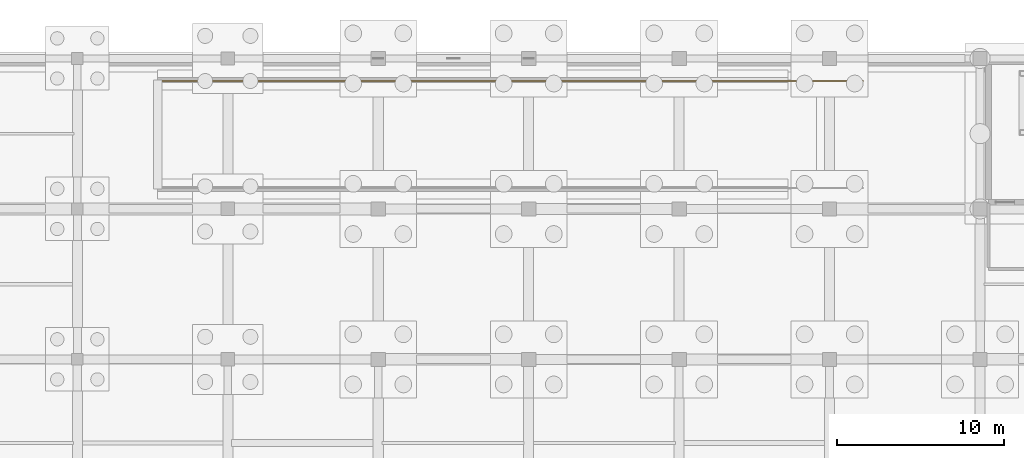
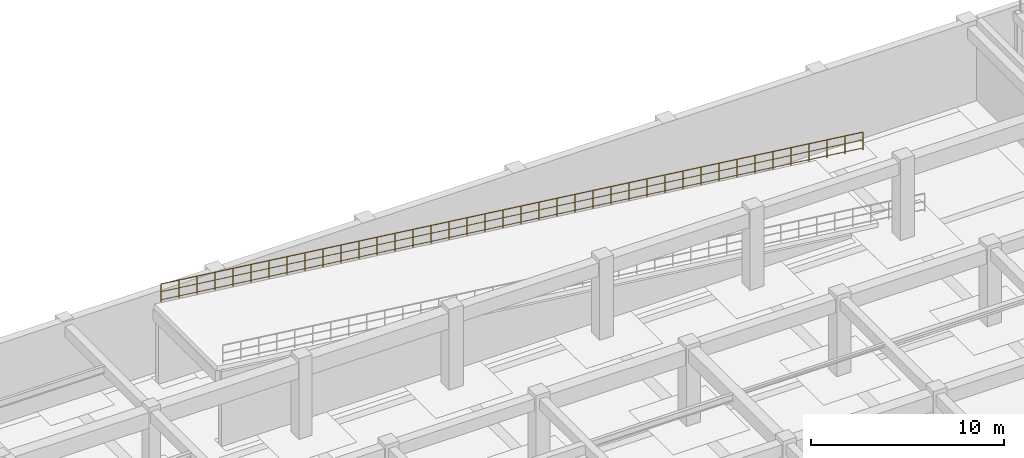
# One storey, part 58 of 62: 1 railing.
"""IFC4 building model written with IfcOpenShell, lengths in metres."""

from ifc_helpers import new_model, si_unit, direction, frame, origin, origin_2d, place, context, subcontext, project, spatial, circle, extrude, material, type_object, element, save


model = new_model("IFC4")

# Units and contexts
model_context = context("Model", 3, precision=1e-05, world=origin(), true_north=direction((0.0, 1.0)))
body_context = subcontext(model_context, "Body", "Model", "MODEL_VIEW")
ifc_project = project(units=[si_unit("LENGTHUNIT", "METRE"), si_unit("AREAUNIT", "SQUARE_METRE"), si_unit("VOLUMEUNIT", "CUBIC_METRE"), si_unit("PLANEANGLEUNIT", "RADIAN"), si_unit("MASSUNIT", "GRAM", prefix="KILO")], contexts=[model_context])

# Site, building, storey
site_placement = place(None, origin())
site = spatial("IfcSite", under=ifc_project, at=site_placement, CompositionType="ELEMENT")
building_placement = place(site_placement, origin())
building = spatial("IfcBuilding", under=site, at=building_placement, Name="Miravela Opera House", CompositionType="ELEMENT")
storey_placement = place(building_placement, frame((0.0, 0.0, -5.10009765625)))
storey = spatial("IfcBuildingStorey", under=building, at=storey_placement, Name="B01", CompositionType="ELEMENT", Elevation=-5.10009765625)

# Railing
ifc_material = material(Name="Galvanised steel fly-gallery safety guardrail", Category="steel")
railing_type = type_object("IfcRailingType", Name="ARC-RAIL-STAGE-GUARD", PredefinedType="GUARDRAIL", material=ifc_material)
railing_placement = place(storey_placement, frame((56.0, 110.64990234375, 0.0)))
element("IfcRailing", 1, at=railing_placement, inside=storey, type_object=railing_type, Name="Vehicle Ramp North Side Guard 0140", PredefinedType="GUARDRAIL", context=body_context, shape_type="SweptSolid", body=[
    extrude(circle(Radius=0.02392578125, at=origin_2d()), frame((0.0, 0.0, 1.1259765625), z_axis=(-0.992707815285, 0.0, 0.120545400049), x_axis=(0.0, -1.0, 0.0)), (0.0, 0.0, 1.0), 42.30859375),
    extrude(circle(Radius=0.01611328125, at=origin_2d()), frame((0.0, 0.0, 0.63232421875), z_axis=(-0.992707815285, 0.0, 0.120545400049), x_axis=(0.0, -1.0, 0.0)), (0.0, 0.0, 1.0), 42.30859375),
    extrude(circle(Radius=0.01611328125, at=origin_2d()), frame((0.0, 0.0, 0.1201171875), z_axis=(-0.992707815285, 0.0, 0.120545400049), x_axis=(0.0, -1.0, 0.0)), (0.0, 0.0, 1.0), 42.30859375),
    extrude(circle(Radius=0.02099609375, at=origin_2d()), origin(), (0.0, 0.0, 1.0), 1.101806640625),
    extrude(circle(Radius=0.02099609375, at=origin_2d()), frame((-1.076904296875, 0.0, 0.130859375)), (0.0, 0.0, 1.0), 1.101806640625),
    extrude(circle(Radius=0.02099609375, at=origin_2d()), frame((-2.15380859375, 0.0, 0.261474609375)), (0.0, 0.0, 1.0), 1.101806640625),
    extrude(circle(Radius=0.02099609375, at=origin_2d()), frame((-3.230712890625, 0.0, 0.392333984375)), (0.0, 0.0, 1.0), 1.101806640625),
    extrude(circle(Radius=0.02099609375, at=origin_2d()), frame((-4.3076171875, 0.0, 0.523193359375)), (0.0, 0.0, 1.0), 1.101806640625),
    extrude(circle(Radius=0.02099609375, at=origin_2d()), frame((-5.384521484375, 0.0, 0.65380859375)), (0.0, 0.0, 1.0), 1.101806640625),
    extrude(circle(Radius=0.02099609375, at=origin_2d()), frame((-6.46142578125, 0.0, 0.78466796875)), (0.0, 0.0, 1.0), 1.101806640625),
    extrude(circle(Radius=0.02099609375, at=origin_2d()), frame((-7.53857421875, 0.0, 0.915283203125)), (0.0, 0.0, 1.0), 1.101806640625),
    extrude(circle(Radius=0.02099609375, at=origin_2d()), frame((-8.615478515625, 0.0, 1.046142578125)), (0.0, 0.0, 1.0), 1.101806640625),
    extrude(circle(Radius=0.02099609375, at=origin_2d()), frame((-9.6923828125, 0.0, 1.177001953125)), (0.0, 0.0, 1.0), 1.101806640625),
    extrude(circle(Radius=0.02099609375, at=origin_2d()), frame((-10.769287109375, 0.0, 1.3076171875)), (0.0, 0.0, 1.0), 1.101806640625),
    extrude(circle(Radius=0.02099609375, at=origin_2d()), frame((-11.84619140625, 0.0, 1.4384765625)), (0.0, 0.0, 1.0), 1.101806640625),
    extrude(circle(Radius=0.02099609375, at=origin_2d()), frame((-12.923095703125, 0.0, 1.5693359375)), (0.0, 0.0, 1.0), 1.101806640625),
    extrude(circle(Radius=0.02099609375, at=origin_2d()), frame((-14.0, 0.0, 1.699951171875)), (0.0, 0.0, 1.0), 1.101806640625),
    extrude(circle(Radius=0.02099609375, at=origin_2d()), frame((-15.076904296875, 0.0, 1.830810546875)), (0.0, 0.0, 1.0), 1.101806640625),
    extrude(circle(Radius=0.02099609375, at=origin_2d()), frame((-16.15380859375, 0.0, 1.961669921875)), (0.0, 0.0, 1.0), 1.101806640625),
    extrude(circle(Radius=0.02099609375, at=origin_2d()), frame((-17.230712890625, 0.0, 2.09228515625)), (0.0, 0.0, 1.0), 1.101806640625),
    extrude(circle(Radius=0.02099609375, at=origin_2d()), frame((-18.3076171875, 0.0, 2.22314453125)), (0.0, 0.0, 1.0), 1.101806640625),
    extrude(circle(Radius=0.02099609375, at=origin_2d()), frame((-19.384521484375, 0.0, 2.35400390625)), (0.0, 0.0, 1.0), 1.101806640625),
    extrude(circle(Radius=0.02099609375, at=origin_2d()), frame((-20.46142578125, 0.0, 2.484619140625)), (0.0, 0.0, 1.0), 1.101806640625),
    extrude(circle(Radius=0.02099609375, at=origin_2d()), frame((-21.53857421875, 0.0, 2.615478515625)), (0.0, 0.0, 1.0), 1.101806640625),
    extrude(circle(Radius=0.02099609375, at=origin_2d()), frame((-22.615478515625, 0.0, 2.74609375)), (0.0, 0.0, 1.0), 1.101806640625),
    extrude(circle(Radius=0.02099609375, at=origin_2d()), frame((-23.6923828125, 0.0, 2.876953125)), (0.0, 0.0, 1.0), 1.101806640625),
    extrude(circle(Radius=0.02099609375, at=origin_2d()), frame((-24.769287109375, 0.0, 3.0078125)), (0.0, 0.0, 1.0), 1.101806640625),
    extrude(circle(Radius=0.02099609375, at=origin_2d()), frame((-25.84619140625, 0.0, 3.138427734375)), (0.0, 0.0, 1.0), 1.101806640625),
    extrude(circle(Radius=0.02099609375, at=origin_2d()), frame((-26.923095703125, 0.0, 3.269287109375)), (0.0, 0.0, 1.0), 1.101806640625),
    extrude(circle(Radius=0.02099609375, at=origin_2d()), frame((-28.0, 0.0, 3.400146484375)), (0.0, 0.0, 1.0), 1.101806640625),
    extrude(circle(Radius=0.02099609375, at=origin_2d()), frame((-29.076904296875, 0.0, 3.53076171875)), (0.0, 0.0, 1.0), 1.101806640625),
    extrude(circle(Radius=0.02099609375, at=origin_2d()), frame((-30.15380859375, 0.0, 3.66162109375)), (0.0, 0.0, 1.0), 1.101806640625),
    extrude(circle(Radius=0.02099609375, at=origin_2d()), frame((-31.230712890625, 0.0, 3.79248046875)), (0.0, 0.0, 1.0), 1.101806640625),
    extrude(circle(Radius=0.02099609375, at=origin_2d()), frame((-32.3076171875, 0.0, 3.923095703125)), (0.0, 0.0, 1.0), 1.101806640625),
    extrude(circle(Radius=0.02099609375, at=origin_2d()), frame((-33.384521484375, 0.0, 4.053955078125)), (0.0, 0.0, 1.0), 1.101806640625),
    extrude(circle(Radius=0.02099609375, at=origin_2d()), frame((-34.46142578125, 0.0, 4.184814453125)), (0.0, 0.0, 1.0), 1.101806640625),
    extrude(circle(Radius=0.02099609375, at=origin_2d()), frame((-35.53857421875, 0.0, 4.3154296875)), (0.0, 0.0, 1.0), 1.101806640625),
    extrude(circle(Radius=0.02099609375, at=origin_2d()), frame((-36.615478515625, 0.0, 4.4462890625)), (0.0, 0.0, 1.0), 1.101806640625),
    extrude(circle(Radius=0.02099609375, at=origin_2d()), frame((-37.6923828125, 0.0, 4.576904296875)), (0.0, 0.0, 1.0), 1.101806640625),
    extrude(circle(Radius=0.02099609375, at=origin_2d()), frame((-38.769287109375, 0.0, 4.707763671875)), (0.0, 0.0, 1.0), 1.101806640625),
    extrude(circle(Radius=0.02099609375, at=origin_2d()), frame((-39.84619140625, 0.0, 4.838623046875)), (0.0, 0.0, 1.0), 1.101806640625),
    extrude(circle(Radius=0.02099609375, at=origin_2d()), frame((-40.923095703125, 0.0, 4.96923828125)), (0.0, 0.0, 1.0), 1.101806640625),
    extrude(circle(Radius=0.02099609375, at=origin_2d()), frame((-42.0, 0.0, 5.10009765625)), (0.0, 0.0, 1.0), 1.101806640625),
])

save(model, "model.ifc")
